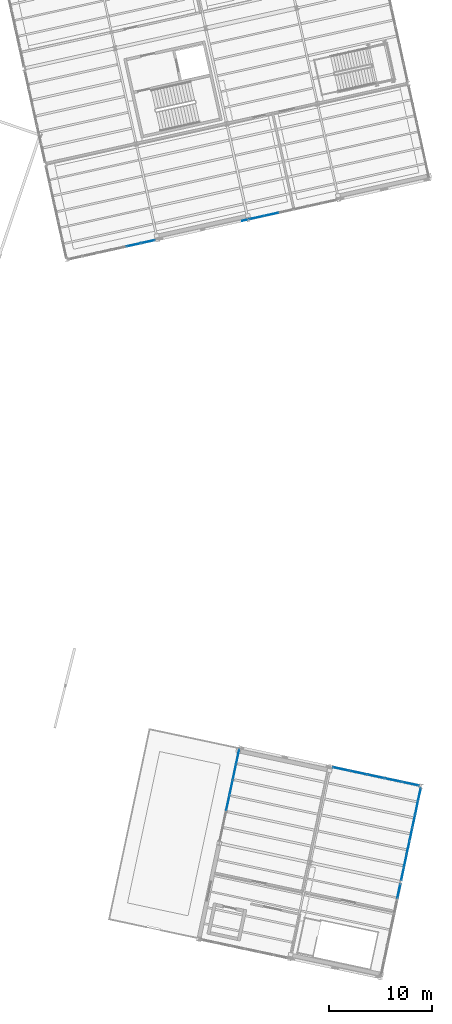
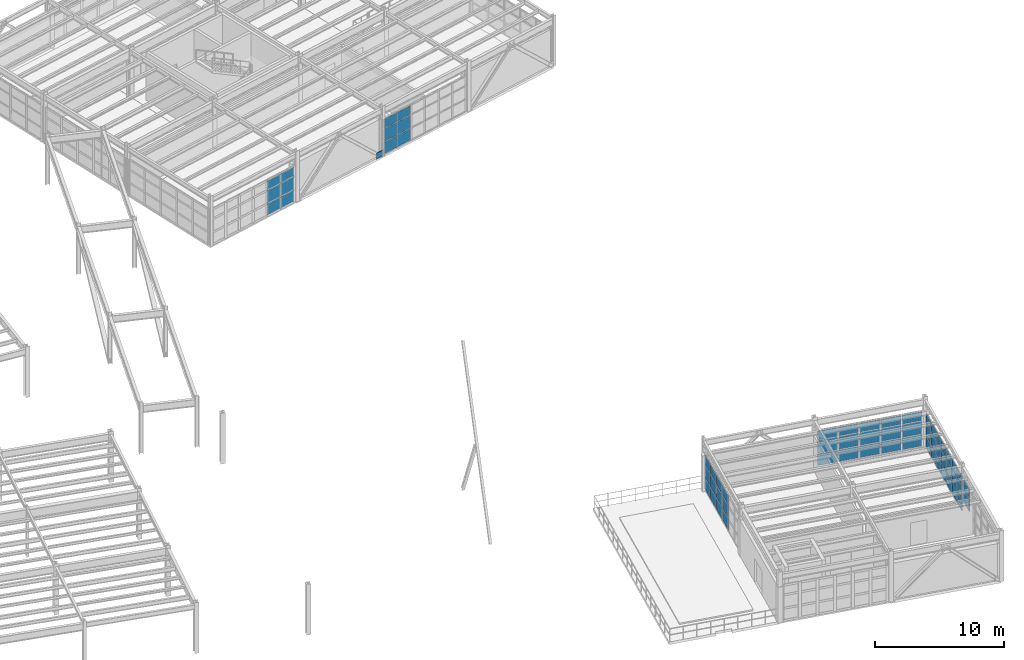
# One storey, part 74 of 109: 63 plates, 6 elements without a shape of their own.
"""IFC4 building model written with IfcOpenShell, lengths in metres."""

from ifc_helpers import new_model, si_unit, direction, frame, origin, origin_2d, place, context, subcontext, project, spatial, rectangle, extrude, material, layer, layer_set, type_object, element, aggregate, save


model = new_model("IFC4")

# Units and contexts
model_context = context("Model", 3, precision=1e-05, world=origin(), true_north=direction((0.0, 1.0)))
body_context = subcontext(model_context, "Body", "Model", "MODEL_VIEW")
ifc_project = project(units=[si_unit("LENGTHUNIT", "METRE"), si_unit("AREAUNIT", "SQUARE_METRE"), si_unit("VOLUMEUNIT", "CUBIC_METRE"), si_unit("PLANEANGLEUNIT", "RADIAN"), si_unit("MASSUNIT", "GRAM", prefix="KILO")], contexts=[model_context])

# Site, building, storey
site_placement = place(None, origin())
site = spatial("IfcSite", under=ifc_project, at=site_placement, CompositionType="ELEMENT")
building_placement = place(site_placement, origin())
building = spatial("IfcBuilding", under=site, at=building_placement, Name="Vireo Bluff Cable Station", CompositionType="ELEMENT")
storey_placement = place(building_placement, frame((0.0, 0.0, 4.800048828125)))
storey = spatial("IfcBuildingStorey", under=building, at=storey_placement, Name="L01", CompositionType="ELEMENT", Elevation=4.800048828125)

# Curtain wall, plates
ifc_material_1 = material(Name="Anodized Aluminium 6063-T6", Category="aluminium")
ifc_layer_1 = layer(ifc_material_1, 0.179931640625, Name="Anodized Aluminium 6063-T6")
ifc_layer_set_1 = layer_set([ifc_layer_1], Name="Anodized Aluminium 6063-T6")
curtain_wall_type_1 = type_object("IfcCurtainWallType", Name="CW-UNIT-1500", PredefinedType="USERDEFINED", material=ifc_layer_set_1)
curtain_wall_1_placement = place(storey_placement, origin())
curtain_wall_1 = element("IfcCurtainWall", 1, at=curtain_wall_1_placement, inside=storey, type_object=curtain_wall_type_1, Name="V5E L01 west curtain wall CW-136", ObjectType="UNITISED CURTAIN WALL", PredefinedType="USERDEFINED")
ifc_material_2 = material(Name="Laminated Low-E Insulated Glass", Category="glass")
ifc_layer_2 = layer(ifc_material_2, 0.031982421875, Name="Laminated Low-E Insulated Glass")
ifc_layer_set_2 = layer_set([ifc_layer_2], Name="Laminated Low-E Insulated Glass")
plate_type_1 = type_object("IfcPlateType", Name="CWP-32-2", PredefinedType="CURTAIN_PANEL", material=ifc_layer_set_2)
plate_1_placement = place(storey_placement, frame((141.60986328125, 21.3330078125, 0.06494140625), z_axis=(0.0, 0.0, 1.0), x_axis=(0.207911694642, 0.978147599921, 0.0)))
plate_1 = element("IfcPlate", 2, at=plate_1_placement, type_object=plate_type_1, Name="CW-136 panel 3.1", PredefinedType="CURTAIN_PANEL", context=body_context, shape_type="SweptSolid", body=[
    extrude(rectangle(XDim=1.4619140625, YDim=0.031982421875, at=origin_2d()), origin(), (0.0, 0.0, 1.0), 1.092529296875),
])
plate_2_placement = place(storey_placement, frame((141.60986328125, 21.3330078125, 1.22216796875), z_axis=(0.0, 0.0, 1.0), x_axis=(0.207911694642, 0.978147599921, 0.0)))
plate_2 = element("IfcPlate", 3, at=plate_2_placement, type_object=plate_type_1, Name="CW-136 panel 3.2", PredefinedType="CURTAIN_PANEL", context=body_context, shape_type="SweptSolid", body=[
    extrude(rectangle(XDim=1.4619140625, YDim=0.031982421875, at=origin_2d()), origin(), (0.0, 0.0, 1.0), 1.193115234375),
])
plate_3_placement = place(storey_placement, frame((141.60986328125, 21.3330078125, 2.48046875), z_axis=(0.0, 0.0, 1.0), x_axis=(0.207911694642, 0.978147599921, 0.0)))
plate_3 = element("IfcPlate", 4, at=plate_3_placement, type_object=plate_type_1, Name="CW-136 panel 3.3", PredefinedType="CURTAIN_PANEL", context=body_context, shape_type="SweptSolid", body=[
    extrude(rectangle(XDim=1.4619140625, YDim=0.031982421875, at=origin_2d()), origin(), (0.0, 0.0, 1.0), 0.8544921875),
])
plate_4_placement = place(storey_placement, frame((141.927490234375, 22.826416015625, 0.06494140625), z_axis=(0.0, 0.0, 1.0), x_axis=(0.207911694642, 0.978147599921, 0.0)))
plate_4 = element("IfcPlate", 5, at=plate_4_placement, type_object=plate_type_1, Name="CW-136 panel 4.1", PredefinedType="CURTAIN_PANEL", context=body_context, shape_type="SweptSolid", body=[
    extrude(rectangle(XDim=1.4619140625, YDim=0.031982421875, at=origin_2d()), origin(), (0.0, 0.0, 1.0), 1.092529296875),
])
plate_5_placement = place(storey_placement, frame((141.927490234375, 22.826416015625, 1.22216796875), z_axis=(0.0, 0.0, 1.0), x_axis=(0.207911694642, 0.978147599921, 0.0)))
plate_5 = element("IfcPlate", 6, at=plate_5_placement, type_object=plate_type_1, Name="CW-136 panel 4.2", PredefinedType="CURTAIN_PANEL", context=body_context, shape_type="SweptSolid", body=[
    extrude(rectangle(XDim=1.4619140625, YDim=0.031982421875, at=origin_2d()), origin(), (0.0, 0.0, 1.0), 1.193115234375),
])
plate_6_placement = place(storey_placement, frame((141.927490234375, 22.826416015625, 2.48046875), z_axis=(0.0, 0.0, 1.0), x_axis=(0.207911694642, 0.978147599921, 0.0)))
plate_6 = element("IfcPlate", 7, at=plate_6_placement, type_object=plate_type_1, Name="CW-136 panel 4.3", PredefinedType="CURTAIN_PANEL", context=body_context, shape_type="SweptSolid", body=[
    extrude(rectangle(XDim=1.4619140625, YDim=0.031982421875, at=origin_2d()), origin(), (0.0, 0.0, 1.0), 0.8544921875),
])
plate_7_placement = place(storey_placement, frame((142.244873046875, 24.31982421875, 0.06494140625), z_axis=(0.0, 0.0, 1.0), x_axis=(0.207911694642, 0.978147599921, 0.0)))
plate_7 = element("IfcPlate", 8, at=plate_7_placement, type_object=plate_type_1, Name="CW-136 panel 5.1", PredefinedType="CURTAIN_PANEL", context=body_context, shape_type="SweptSolid", body=[
    extrude(rectangle(XDim=1.4619140625, YDim=0.031982421875, at=origin_2d()), origin(), (0.0, 0.0, 1.0), 1.092529296875),
])
plate_8_placement = place(storey_placement, frame((142.244873046875, 24.31982421875, 1.22216796875), z_axis=(0.0, 0.0, 1.0), x_axis=(0.207911694642, 0.978147599921, 0.0)))
plate_8 = element("IfcPlate", 9, at=plate_8_placement, type_object=plate_type_1, Name="CW-136 panel 5.2", PredefinedType="CURTAIN_PANEL", context=body_context, shape_type="SweptSolid", body=[
    extrude(rectangle(XDim=1.4619140625, YDim=0.031982421875, at=origin_2d()), origin(), (0.0, 0.0, 1.0), 1.193115234375),
])
plate_9_placement = place(storey_placement, frame((142.244873046875, 24.31982421875, 2.48046875), z_axis=(0.0, 0.0, 1.0), x_axis=(0.207911694642, 0.978147599921, 0.0)))
plate_9 = element("IfcPlate", 10, at=plate_9_placement, type_object=plate_type_1, Name="CW-136 panel 5.3", PredefinedType="CURTAIN_PANEL", context=body_context, shape_type="SweptSolid", body=[
    extrude(rectangle(XDim=1.4619140625, YDim=0.031982421875, at=origin_2d()), origin(), (0.0, 0.0, 1.0), 0.8544921875),
])
plate_10_placement = place(storey_placement, frame((142.558837890625, 25.79736328125, 0.06494140625), z_axis=(0.0, 0.0, 1.0), x_axis=(0.207911694642, 0.978147599921, 0.0)))
plate_10 = element("IfcPlate", 11, at=plate_10_placement, type_object=plate_type_1, Name="CW-136 panel 6.1", PredefinedType="CURTAIN_PANEL", context=body_context, shape_type="SweptSolid", body=[
    extrude(rectangle(XDim=1.429443359375, YDim=0.031982421875, at=origin_2d()), origin(), (0.0, 0.0, 1.0), 1.092529296875),
])
plate_11_placement = place(storey_placement, frame((142.558837890625, 25.79736328125, 1.22216796875), z_axis=(0.0, 0.0, 1.0), x_axis=(0.207911694642, 0.978147599921, 0.0)))
plate_11 = element("IfcPlate", 12, at=plate_11_placement, type_object=plate_type_1, Name="CW-136 panel 6.2", PredefinedType="CURTAIN_PANEL", context=body_context, shape_type="SweptSolid", body=[
    extrude(rectangle(XDim=1.429443359375, YDim=0.031982421875, at=origin_2d()), origin(), (0.0, 0.0, 1.0), 1.193115234375),
])
plate_12_placement = place(storey_placement, frame((142.558837890625, 25.79736328125, 2.48046875), z_axis=(0.0, 0.0, 1.0), x_axis=(0.207911694642, 0.978147599921, 0.0)))
plate_12 = element("IfcPlate", 13, at=plate_12_placement, type_object=plate_type_1, Name="CW-136 panel 6.3", PredefinedType="CURTAIN_PANEL", context=body_context, shape_type="SweptSolid", body=[
    extrude(rectangle(XDim=1.429443359375, YDim=0.031982421875, at=origin_2d()), origin(), (0.0, 0.0, 1.0), 0.8544921875),
])
aggregate(curtain_wall_1, [plate_1, plate_2, plate_3, plate_4, plate_5, plate_6, plate_7, plate_8, plate_9, plate_10, plate_11, plate_12])

ifc_layer_3 = layer(ifc_material_1, 0.179931640625, Name="Anodized Aluminium 6063-T6")
ifc_layer_set_3 = layer_set([ifc_layer_3], Name="Anodized Aluminium 6063-T6")
curtain_wall_type_2 = type_object("IfcCurtainWallType", Name="CW-UNIT-1400", PredefinedType="USERDEFINED", material=ifc_layer_set_3)
curtain_wall_2_placement = place(storey_placement, origin())
curtain_wall_2 = element("IfcCurtainWall", 14, at=curtain_wall_2_placement, inside=storey, type_object=curtain_wall_type_2, Name="V2 L01 south curtain wall CW-042", ObjectType="UNITISED CURTAIN WALL", PredefinedType="USERDEFINED")
ifc_layer_4 = layer(ifc_material_2, 0.035888671875, Name="Laminated Low-E Insulated Glass")
ifc_layer_set_4 = layer_set([ifc_layer_4], Name="Laminated Low-E Insulated Glass")
plate_type_2 = type_object("IfcPlateType", Name="CWP-36-3", PredefinedType="CURTAIN_PANEL", material=ifc_layer_set_4)
plate_13_placement = place(storey_placement, frame((145.81982421875, 78.39404296875, 0.059814453125), z_axis=(0.0, 0.0, 1.0), x_axis=(-0.976296005412, -0.21643962164, 0.0)))
plate_13 = element("IfcPlate", 15, at=plate_13_placement, type_object=plate_type_2, Name="CW-042 panel 5.1", PredefinedType="CURTAIN_PANEL", context=body_context, shape_type="SweptSolid", body=[
    extrude(rectangle(XDim=1.386962890625, YDim=0.035888671875, at=origin_2d()), origin(), (0.0, 0.0, 1.0), 1.10009765625),
])
plate_14_placement = place(storey_placement, frame((145.81982421875, 78.39404296875, 1.2197265625), z_axis=(0.0, 0.0, 1.0), x_axis=(-0.976296005412, -0.21643962164, 0.0)))
plate_14 = element("IfcPlate", 16, at=plate_14_placement, type_object=plate_type_2, Name="CW-042 panel 5.2", PredefinedType="CURTAIN_PANEL", context=body_context, shape_type="SweptSolid", body=[
    extrude(rectangle(XDim=1.386962890625, YDim=0.035888671875, at=origin_2d()), origin(), (0.0, 0.0, 1.0), 1.197998046875),
])
plate_15_placement = place(storey_placement, frame((145.81982421875, 78.39404296875, 2.47802734375), z_axis=(0.0, 0.0, 1.0), x_axis=(-0.976296005412, -0.21643962164, 0.0)))
plate_15 = element("IfcPlate", 17, at=plate_15_placement, type_object=plate_type_2, Name="CW-042 panel 5.3", PredefinedType="CURTAIN_PANEL", context=body_context, shape_type="SweptSolid", body=[
    extrude(rectangle(XDim=1.386962890625, YDim=0.035888671875, at=origin_2d()), origin(), (0.0, 0.0, 1.0), 0.862060546875),
])
plate_16_placement = place(storey_placement, frame((144.421875, 78.083984375, 0.059814453125), z_axis=(0.0, 0.0, 1.0), x_axis=(-0.976296005412, -0.21643962164, 0.0)))
plate_16 = element("IfcPlate", 18, at=plate_16_placement, type_object=plate_type_2, Name="CW-042 panel 6.1", PredefinedType="CURTAIN_PANEL", context=body_context, shape_type="SweptSolid", body=[
    extrude(rectangle(XDim=1.357177734375, YDim=0.035888671875, at=origin_2d()), origin(), (0.0, 0.0, 1.0), 1.10009765625),
])
plate_17_placement = place(storey_placement, frame((144.421875, 78.083984375, 1.2197265625), z_axis=(0.0, 0.0, 1.0), x_axis=(-0.976296005412, -0.21643962164, 0.0)))
plate_17 = element("IfcPlate", 19, at=plate_17_placement, type_object=plate_type_2, Name="CW-042 panel 6.2", PredefinedType="CURTAIN_PANEL", context=body_context, shape_type="SweptSolid", body=[
    extrude(rectangle(XDim=1.357177734375, YDim=0.035888671875, at=origin_2d()), origin(), (0.0, 0.0, 1.0), 1.197998046875),
])
plate_18_placement = place(storey_placement, frame((144.421875, 78.083984375, 2.47802734375), z_axis=(0.0, 0.0, 1.0), x_axis=(-0.976296005412, -0.21643962164, 0.0)))
plate_18 = element("IfcPlate", 20, at=plate_18_placement, type_object=plate_type_2, Name="CW-042 panel 6.3", PredefinedType="CURTAIN_PANEL", context=body_context, shape_type="SweptSolid", body=[
    extrude(rectangle(XDim=1.357177734375, YDim=0.035888671875, at=origin_2d()), origin(), (0.0, 0.0, 1.0), 0.862060546875),
])
aggregate(curtain_wall_2, [plate_13, plate_14, plate_15, plate_16, plate_17, plate_18])

ifc_layer_5 = layer(ifc_material_1, 0.179931640625, Name="Anodized Aluminium 6063-T6")
ifc_layer_set_5 = layer_set([ifc_layer_5], Name="Anodized Aluminium 6063-T6")
curtain_wall_type_3 = type_object("IfcCurtainWallType", Name="CW-UNIT-1650", PredefinedType="USERDEFINED", material=ifc_layer_set_5)
curtain_wall_3_placement = place(storey_placement, origin())
curtain_wall_3 = element("IfcCurtainWall", 21, at=curtain_wall_3_placement, inside=storey, type_object=curtain_wall_type_3, Name="V5E L01 north curtain wall CW-137", ObjectType="UNITISED CURTAIN WALL", PredefinedType="USERDEFINED")
plate_19_placement = place(storey_placement, frame((152.60205078125, 24.620361328125, 0.0751953125), z_axis=(0.0, 0.0, 1.0), x_axis=(0.978147605487, -0.207911668454, 0.0)))
plate_19 = element("IfcPlate", 22, at=plate_19_placement, type_object=plate_type_2, Name="CW-137 panel 1.1", PredefinedType="CURTAIN_PANEL", context=body_context, shape_type="SweptSolid", body=[
    extrude(rectangle(XDim=1.61279296875, YDim=0.035888671875, at=origin_2d()), origin(), (0.0, 0.0, 1.0), 1.077392578125),
])
plate_20_placement = place(storey_placement, frame((152.60205078125, 24.620361328125, 1.227294921875), z_axis=(0.0, 0.0, 1.0), x_axis=(0.978147605487, -0.207911668454, 0.0)))
plate_20 = element("IfcPlate", 23, at=plate_20_placement, type_object=plate_type_2, Name="CW-137 panel 1.2", PredefinedType="CURTAIN_PANEL", context=body_context, shape_type="SweptSolid", body=[
    extrude(rectangle(XDim=1.61279296875, YDim=0.035888671875, at=origin_2d()), origin(), (0.0, 0.0, 1.0), 1.18310546875),
])
plate_21_placement = place(storey_placement, frame((152.60205078125, 24.620361328125, 2.4853515625), z_axis=(0.0, 0.0, 1.0), x_axis=(0.978147605487, -0.207911668454, 0.0)))
plate_21 = element("IfcPlate", 24, at=plate_21_placement, type_object=plate_type_2, Name="CW-137 panel 1.3", PredefinedType="CURTAIN_PANEL", context=body_context, shape_type="SweptSolid", body=[
    extrude(rectangle(XDim=1.61279296875, YDim=0.035888671875, at=origin_2d()), origin(), (0.0, 0.0, 1.0), 0.839599609375),
])
plate_22_placement = place(storey_placement, frame((154.271240234375, 24.265380859375, 0.0751953125), z_axis=(0.0, 0.0, 1.0), x_axis=(0.978147605487, -0.207911668454, 0.0)))
plate_22 = element("IfcPlate", 25, at=plate_22_placement, type_object=plate_type_2, Name="CW-137 panel 2.1", PredefinedType="CURTAIN_PANEL", context=body_context, shape_type="SweptSolid", body=[
    extrude(rectangle(XDim=1.650146484375, YDim=0.035888671875, at=origin_2d()), origin(), (0.0, 0.0, 1.0), 1.077392578125),
])
plate_23_placement = place(storey_placement, frame((154.271240234375, 24.265380859375, 1.227294921875), z_axis=(0.0, 0.0, 1.0), x_axis=(0.978147605487, -0.207911668454, 0.0)))
plate_23 = element("IfcPlate", 26, at=plate_23_placement, type_object=plate_type_2, Name="CW-137 panel 2.2", PredefinedType="CURTAIN_PANEL", context=body_context, shape_type="SweptSolid", body=[
    extrude(rectangle(XDim=1.650146484375, YDim=0.035888671875, at=origin_2d()), origin(), (0.0, 0.0, 1.0), 1.18310546875),
])
plate_24_placement = place(storey_placement, frame((154.271240234375, 24.265380859375, 2.4853515625), z_axis=(0.0, 0.0, 1.0), x_axis=(0.978147605487, -0.207911668454, 0.0)))
plate_24 = element("IfcPlate", 27, at=plate_24_placement, type_object=plate_type_2, Name="CW-137 panel 2.3", PredefinedType="CURTAIN_PANEL", context=body_context, shape_type="SweptSolid", body=[
    extrude(rectangle(XDim=1.650146484375, YDim=0.035888671875, at=origin_2d()), origin(), (0.0, 0.0, 1.0), 0.839599609375),
])
plate_25_placement = place(storey_placement, frame((155.958740234375, 23.90673828125, 0.0751953125), z_axis=(0.0, 0.0, 1.0), x_axis=(0.978147605487, -0.207911668454, 0.0)))
plate_25 = element("IfcPlate", 28, at=plate_25_placement, type_object=plate_type_2, Name="CW-137 panel 3.1", PredefinedType="CURTAIN_PANEL", context=body_context, shape_type="SweptSolid", body=[
    extrude(rectangle(XDim=1.650146484375, YDim=0.035888671875, at=origin_2d()), origin(), (0.0, 0.0, 1.0), 1.077392578125),
])
plate_26_placement = place(storey_placement, frame((155.958740234375, 23.90673828125, 1.227294921875), z_axis=(0.0, 0.0, 1.0), x_axis=(0.978147605487, -0.207911668454, 0.0)))
plate_26 = element("IfcPlate", 29, at=plate_26_placement, type_object=plate_type_2, Name="CW-137 panel 3.2", PredefinedType="CURTAIN_PANEL", context=body_context, shape_type="SweptSolid", body=[
    extrude(rectangle(XDim=1.650146484375, YDim=0.035888671875, at=origin_2d()), origin(), (0.0, 0.0, 1.0), 1.18310546875),
])
plate_27_placement = place(storey_placement, frame((155.958740234375, 23.90673828125, 2.4853515625), z_axis=(0.0, 0.0, 1.0), x_axis=(0.978147605487, -0.207911668454, 0.0)))
plate_27 = element("IfcPlate", 30, at=plate_27_placement, type_object=plate_type_2, Name="CW-137 panel 3.3", PredefinedType="CURTAIN_PANEL", context=body_context, shape_type="SweptSolid", body=[
    extrude(rectangle(XDim=1.650146484375, YDim=0.035888671875, at=origin_2d()), origin(), (0.0, 0.0, 1.0), 0.839599609375),
])
plate_28_placement = place(storey_placement, frame((157.646240234375, 23.548095703125, 0.0751953125), z_axis=(0.0, 0.0, 1.0), x_axis=(0.978147605487, -0.207911668454, 0.0)))
plate_28 = element("IfcPlate", 31, at=plate_28_placement, type_object=plate_type_2, Name="CW-137 panel 4.1", PredefinedType="CURTAIN_PANEL", context=body_context, shape_type="SweptSolid", body=[
    extrude(rectangle(XDim=1.650146484375, YDim=0.035888671875, at=origin_2d()), origin(), (0.0, 0.0, 1.0), 1.077392578125),
])
plate_29_placement = place(storey_placement, frame((157.646240234375, 23.548095703125, 1.227294921875), z_axis=(0.0, 0.0, 1.0), x_axis=(0.978147605487, -0.207911668454, 0.0)))
plate_29 = element("IfcPlate", 32, at=plate_29_placement, type_object=plate_type_2, Name="CW-137 panel 4.2", PredefinedType="CURTAIN_PANEL", context=body_context, shape_type="SweptSolid", body=[
    extrude(rectangle(XDim=1.650146484375, YDim=0.035888671875, at=origin_2d()), origin(), (0.0, 0.0, 1.0), 1.18310546875),
])
plate_30_placement = place(storey_placement, frame((157.646240234375, 23.548095703125, 2.4853515625), z_axis=(0.0, 0.0, 1.0), x_axis=(0.978147605487, -0.207911668454, 0.0)))
plate_30 = element("IfcPlate", 33, at=plate_30_placement, type_object=plate_type_2, Name="CW-137 panel 4.3", PredefinedType="CURTAIN_PANEL", context=body_context, shape_type="SweptSolid", body=[
    extrude(rectangle(XDim=1.650146484375, YDim=0.035888671875, at=origin_2d()), origin(), (0.0, 0.0, 1.0), 0.839599609375),
])
plate_31_placement = place(storey_placement, frame((159.315185546875, 23.193359375, 0.0751953125), z_axis=(0.0, 0.0, 1.0), x_axis=(0.978147605487, -0.207911668454, 0.0)))
plate_31 = element("IfcPlate", 34, at=plate_31_placement, type_object=plate_type_2, Name="CW-137 panel 5.1", PredefinedType="CURTAIN_PANEL", context=body_context, shape_type="SweptSolid", body=[
    extrude(rectangle(XDim=1.61279296875, YDim=0.035888671875, at=origin_2d()), origin(), (0.0, 0.0, 1.0), 1.077392578125),
])
plate_32_placement = place(storey_placement, frame((159.315185546875, 23.193359375, 1.227294921875), z_axis=(0.0, 0.0, 1.0), x_axis=(0.978147605487, -0.207911668454, 0.0)))
plate_32 = element("IfcPlate", 35, at=plate_32_placement, type_object=plate_type_2, Name="CW-137 panel 5.2", PredefinedType="CURTAIN_PANEL", context=body_context, shape_type="SweptSolid", body=[
    extrude(rectangle(XDim=1.61279296875, YDim=0.035888671875, at=origin_2d()), origin(), (0.0, 0.0, 1.0), 1.18310546875),
])
plate_33_placement = place(storey_placement, frame((159.315185546875, 23.193359375, 2.4853515625), z_axis=(0.0, 0.0, 1.0), x_axis=(0.978147605487, -0.207911668454, 0.0)))
plate_33 = element("IfcPlate", 36, at=plate_33_placement, type_object=plate_type_2, Name="CW-137 panel 5.3", PredefinedType="CURTAIN_PANEL", context=body_context, shape_type="SweptSolid", body=[
    extrude(rectangle(XDim=1.61279296875, YDim=0.035888671875, at=origin_2d()), origin(), (0.0, 0.0, 1.0), 0.839599609375),
])
aggregate(curtain_wall_3, [plate_19, plate_20, plate_21, plate_22, plate_23, plate_24, plate_25, plate_26, plate_27, plate_28, plate_29, plate_30, plate_31, plate_32, plate_33])

curtain_wall_4_placement = place(storey_placement, origin())
curtain_wall_4 = element("IfcCurtainWall", 37, at=curtain_wall_4_placement, inside=storey, type_object=curtain_wall_type_1, Name="V2 L01 south curtain wall CW-043", ObjectType="UNITISED CURTAIN WALL", PredefinedType="USERDEFINED")
ifc_material_3 = material(Name="Insulated Spandrel Glass Panel", Category="glass")
ifc_layer_6 = layer(ifc_material_3, 0.0419921875, Name="Insulated Spandrel Glass Panel")
ifc_layer_set_6 = layer_set([ifc_layer_6], Name="Insulated Spandrel Glass Panel")
plate_type_3 = type_object("IfcPlateType", Name="CWP-42-4", PredefinedType="CURTAIN_PANEL", material=ifc_layer_set_6)
plate_34_placement = place(storey_placement, frame((133.878173828125, 75.74658203125, 0.080078125), z_axis=(0.0, 0.0, 1.0), x_axis=(-0.976296024459, -0.216439535726, 0.0)))
plate_34 = element("IfcPlate", 38, at=plate_34_placement, type_object=plate_type_3, Name="CW-043 panel 1.1", PredefinedType="CURTAIN_PANEL", context=body_context, shape_type="SweptSolid", body=[
    extrude(rectangle(XDim=1.327392578125, YDim=0.0419921875, at=origin_2d()), origin(), (0.0, 0.0, 1.0), 1.070068359375),
])
plate_35_placement = place(storey_placement, frame((133.878173828125, 75.74658203125, 1.22998046875), z_axis=(0.0, 0.0, 1.0), x_axis=(-0.976296024459, -0.216439535726, 0.0)))
plate_35 = element("IfcPlate", 39, at=plate_35_placement, type_object=plate_type_3, Name="CW-043 panel 1.2", PredefinedType="CURTAIN_PANEL", context=body_context, shape_type="SweptSolid", body=[
    extrude(rectangle(XDim=1.327392578125, YDim=0.0419921875, at=origin_2d()), origin(), (0.0, 0.0, 1.0), 1.177978515625),
])
plate_36_placement = place(storey_placement, frame((133.878173828125, 75.74658203125, 2.488037109375), z_axis=(0.0, 0.0, 1.0), x_axis=(-0.976296024459, -0.216439535726, 0.0)))
plate_36 = element("IfcPlate", 40, at=plate_36_placement, type_object=plate_type_3, Name="CW-043 panel 1.3", PredefinedType="CURTAIN_PANEL", context=body_context, shape_type="SweptSolid", body=[
    extrude(rectangle(XDim=1.327392578125, YDim=0.0419921875, at=origin_2d()), origin(), (0.0, 0.0, 1.0), 0.83203125),
])
plate_37_placement = place(storey_placement, frame((132.484619140625, 75.4375, 0.080078125), z_axis=(0.0, 0.0, 1.0), x_axis=(-0.976296024459, -0.216439535726, 0.0)))
plate_37 = element("IfcPlate", 41, at=plate_37_placement, type_object=plate_type_3, Name="CW-043 panel 2.1", PredefinedType="CURTAIN_PANEL", context=body_context, shape_type="SweptSolid", body=[
    extrude(rectangle(XDim=1.367431640625, YDim=0.0419921875, at=origin_2d()), origin(), (0.0, 0.0, 1.0), 1.070068359375),
])
plate_38_placement = place(storey_placement, frame((132.484619140625, 75.4375, 1.22998046875), z_axis=(0.0, 0.0, 1.0), x_axis=(-0.976296024459, -0.216439535726, 0.0)))
plate_38 = element("IfcPlate", 42, at=plate_38_placement, type_object=plate_type_3, Name="CW-043 panel 2.2", PredefinedType="CURTAIN_PANEL", context=body_context, shape_type="SweptSolid", body=[
    extrude(rectangle(XDim=1.367431640625, YDim=0.0419921875, at=origin_2d()), origin(), (0.0, 0.0, 1.0), 1.177978515625),
])
plate_39_placement = place(storey_placement, frame((132.484619140625, 75.4375, 2.488037109375), z_axis=(0.0, 0.0, 1.0), x_axis=(-0.976296024459, -0.216439535726, 0.0)))
plate_39 = element("IfcPlate", 43, at=plate_39_placement, type_object=plate_type_3, Name="CW-043 panel 2.3", PredefinedType="CURTAIN_PANEL", context=body_context, shape_type="SweptSolid", body=[
    extrude(rectangle(XDim=1.367431640625, YDim=0.0419921875, at=origin_2d()), origin(), (0.0, 0.0, 1.0), 0.83203125),
])
aggregate(curtain_wall_4, [plate_34, plate_35, plate_36, plate_37, plate_38, plate_39])

curtain_wall_5_placement = place(storey_placement, origin())
curtain_wall_5 = element("IfcCurtainWall", 44, at=curtain_wall_5_placement, inside=storey, type_object=curtain_wall_type_2, Name="V5E L01 east curtain wall CW-138", ObjectType="UNITISED CURTAIN WALL", PredefinedType="USERDEFINED")
plate_40_placement = place(storey_placement, frame((160.182861328125, 22.13671875, 0.059814453125), z_axis=(0.0, 0.0, 1.0), x_axis=(-0.207911684467, -0.978147602084, 0.0)))
plate_40 = element("IfcPlate", 45, at=plate_40_placement, type_object=plate_type_3, Name="CW-138 panel 1.1", PredefinedType="CURTAIN_PANEL", context=body_context, shape_type="SweptSolid", body=[
    extrude(rectangle(XDim=1.221923828125, YDim=0.0419921875, at=origin_2d()), origin(), (0.0, 0.0, 1.0), 1.10009765625),
])
plate_41_placement = place(storey_placement, frame((160.182861328125, 22.13671875, 1.2197265625), z_axis=(0.0, 0.0, 1.0), x_axis=(-0.207911684467, -0.978147602084, 0.0)))
plate_41 = element("IfcPlate", 46, at=plate_41_placement, type_object=plate_type_3, Name="CW-138 panel 1.2", PredefinedType="CURTAIN_PANEL", context=body_context, shape_type="SweptSolid", body=[
    extrude(rectangle(XDim=1.221923828125, YDim=0.0419921875, at=origin_2d()), origin(), (0.0, 0.0, 1.0), 1.197998046875),
])
plate_42_placement = place(storey_placement, frame((160.182861328125, 22.13671875, 2.47802734375), z_axis=(0.0, 0.0, 1.0), x_axis=(-0.207911684467, -0.978147602084, 0.0)))
plate_42 = element("IfcPlate", 47, at=plate_42_placement, type_object=plate_type_3, Name="CW-138 panel 1.3", PredefinedType="CURTAIN_PANEL", context=body_context, shape_type="SweptSolid", body=[
    extrude(rectangle(XDim=1.221923828125, YDim=0.0419921875, at=origin_2d()), origin(), (0.0, 0.0, 1.0), 0.862060546875),
])
plate_43_placement = place(storey_placement, frame((159.913330078125, 20.8681640625, 0.059814453125), z_axis=(0.0, 0.0, 1.0), x_axis=(-0.207911684467, -0.978147602084, 0.0)))
plate_43 = element("IfcPlate", 48, at=plate_43_placement, type_object=plate_type_3, Name="CW-138 panel 2.1", PredefinedType="CURTAIN_PANEL", context=body_context, shape_type="SweptSolid", body=[
    extrude(rectangle(XDim=1.251953125, YDim=0.0419921875, at=origin_2d()), origin(), (0.0, 0.0, 1.0), 1.10009765625),
])
plate_44_placement = place(storey_placement, frame((159.913330078125, 20.8681640625, 1.2197265625), z_axis=(0.0, 0.0, 1.0), x_axis=(-0.207911684467, -0.978147602084, 0.0)))
plate_44 = element("IfcPlate", 49, at=plate_44_placement, type_object=plate_type_3, Name="CW-138 panel 2.2", PredefinedType="CURTAIN_PANEL", context=body_context, shape_type="SweptSolid", body=[
    extrude(rectangle(XDim=1.251953125, YDim=0.0419921875, at=origin_2d()), origin(), (0.0, 0.0, 1.0), 1.197998046875),
])
plate_45_placement = place(storey_placement, frame((159.913330078125, 20.8681640625, 2.47802734375), z_axis=(0.0, 0.0, 1.0), x_axis=(-0.207911684467, -0.978147602084, 0.0)))
plate_45 = element("IfcPlate", 50, at=plate_45_placement, type_object=plate_type_3, Name="CW-138 panel 2.3", PredefinedType="CURTAIN_PANEL", context=body_context, shape_type="SweptSolid", body=[
    extrude(rectangle(XDim=1.251953125, YDim=0.0419921875, at=origin_2d()), origin(), (0.0, 0.0, 1.0), 0.862060546875),
])
plate_46_placement = place(storey_placement, frame((159.640625, 19.5849609375, 0.059814453125), z_axis=(0.0, 0.0, 1.0), x_axis=(-0.207911684467, -0.978147602084, 0.0)))
plate_46 = element("IfcPlate", 51, at=plate_46_placement, type_object=plate_type_3, Name="CW-138 panel 3.1", PredefinedType="CURTAIN_PANEL", context=body_context, shape_type="SweptSolid", body=[
    extrude(rectangle(XDim=1.251953125, YDim=0.0419921875, at=origin_2d()), origin(), (0.0, 0.0, 1.0), 1.10009765625),
])
plate_47_placement = place(storey_placement, frame((159.640625, 19.5849609375, 1.2197265625), z_axis=(0.0, 0.0, 1.0), x_axis=(-0.207911684467, -0.978147602084, 0.0)))
plate_47 = element("IfcPlate", 52, at=plate_47_placement, type_object=plate_type_3, Name="CW-138 panel 3.2", PredefinedType="CURTAIN_PANEL", context=body_context, shape_type="SweptSolid", body=[
    extrude(rectangle(XDim=1.251953125, YDim=0.0419921875, at=origin_2d()), origin(), (0.0, 0.0, 1.0), 1.197998046875),
])
plate_48_placement = place(storey_placement, frame((159.640625, 19.5849609375, 2.47802734375), z_axis=(0.0, 0.0, 1.0), x_axis=(-0.207911684467, -0.978147602084, 0.0)))
plate_48 = element("IfcPlate", 53, at=plate_48_placement, type_object=plate_type_3, Name="CW-138 panel 3.3", PredefinedType="CURTAIN_PANEL", context=body_context, shape_type="SweptSolid", body=[
    extrude(rectangle(XDim=1.251953125, YDim=0.0419921875, at=origin_2d()), origin(), (0.0, 0.0, 1.0), 0.862060546875),
])
plate_49_placement = place(storey_placement, frame((159.36767578125, 18.301513671875, 0.059814453125), z_axis=(0.0, 0.0, 1.0), x_axis=(-0.207911684467, -0.978147602084, 0.0)))
plate_49 = element("IfcPlate", 54, at=plate_49_placement, type_object=plate_type_3, Name="CW-138 panel 4.1", PredefinedType="CURTAIN_PANEL", context=body_context, shape_type="SweptSolid", body=[
    extrude(rectangle(XDim=1.251953125, YDim=0.0419921875, at=origin_2d()), origin(), (0.0, 0.0, 1.0), 1.10009765625),
])
plate_50_placement = place(storey_placement, frame((159.36767578125, 18.301513671875, 1.2197265625), z_axis=(0.0, 0.0, 1.0), x_axis=(-0.207911684467, -0.978147602084, 0.0)))
plate_50 = element("IfcPlate", 55, at=plate_50_placement, type_object=plate_type_3, Name="CW-138 panel 4.2", PredefinedType="CURTAIN_PANEL", context=body_context, shape_type="SweptSolid", body=[
    extrude(rectangle(XDim=1.251953125, YDim=0.0419921875, at=origin_2d()), origin(), (0.0, 0.0, 1.0), 1.197998046875),
])
plate_51_placement = place(storey_placement, frame((159.36767578125, 18.301513671875, 2.47802734375), z_axis=(0.0, 0.0, 1.0), x_axis=(-0.207911684467, -0.978147602084, 0.0)))
plate_51 = element("IfcPlate", 56, at=plate_51_placement, type_object=plate_type_3, Name="CW-138 panel 4.3", PredefinedType="CURTAIN_PANEL", context=body_context, shape_type="SweptSolid", body=[
    extrude(rectangle(XDim=1.251953125, YDim=0.0419921875, at=origin_2d()), origin(), (0.0, 0.0, 1.0), 0.862060546875),
])
plate_52_placement = place(storey_placement, frame((159.094970703125, 17.01806640625, 0.059814453125), z_axis=(0.0, 0.0, 1.0), x_axis=(-0.207911684467, -0.978147602084, 0.0)))
plate_52 = element("IfcPlate", 57, at=plate_52_placement, type_object=plate_type_3, Name="CW-138 panel 5.1", PredefinedType="CURTAIN_PANEL", context=body_context, shape_type="SweptSolid", body=[
    extrude(rectangle(XDim=1.251953125, YDim=0.0419921875, at=origin_2d()), origin(), (0.0, 0.0, 1.0), 1.10009765625),
])
plate_53_placement = place(storey_placement, frame((159.094970703125, 17.01806640625, 1.2197265625), z_axis=(0.0, 0.0, 1.0), x_axis=(-0.207911684467, -0.978147602084, 0.0)))
plate_53 = element("IfcPlate", 58, at=plate_53_placement, type_object=plate_type_3, Name="CW-138 panel 5.2", PredefinedType="CURTAIN_PANEL", context=body_context, shape_type="SweptSolid", body=[
    extrude(rectangle(XDim=1.251953125, YDim=0.0419921875, at=origin_2d()), origin(), (0.0, 0.0, 1.0), 1.197998046875),
])
plate_54_placement = place(storey_placement, frame((159.094970703125, 17.01806640625, 2.47802734375), z_axis=(0.0, 0.0, 1.0), x_axis=(-0.207911684467, -0.978147602084, 0.0)))
plate_54 = element("IfcPlate", 59, at=plate_54_placement, type_object=plate_type_3, Name="CW-138 panel 5.3", PredefinedType="CURTAIN_PANEL", context=body_context, shape_type="SweptSolid", body=[
    extrude(rectangle(XDim=1.251953125, YDim=0.0419921875, at=origin_2d()), origin(), (0.0, 0.0, 1.0), 0.862060546875),
])
plate_55_placement = place(storey_placement, frame((158.822265625, 15.73486328125, 0.059814453125), z_axis=(0.0, 0.0, 1.0), x_axis=(-0.207911684467, -0.978147602084, 0.0)))
plate_55 = element("IfcPlate", 60, at=plate_55_placement, type_object=plate_type_3, Name="CW-138 panel 6.1", PredefinedType="CURTAIN_PANEL", context=body_context, shape_type="SweptSolid", body=[
    extrude(rectangle(XDim=1.251953125, YDim=0.0419921875, at=origin_2d()), origin(), (0.0, 0.0, 1.0), 1.10009765625),
])
plate_56_placement = place(storey_placement, frame((158.822265625, 15.73486328125, 1.2197265625), z_axis=(0.0, 0.0, 1.0), x_axis=(-0.207911684467, -0.978147602084, 0.0)))
plate_56 = element("IfcPlate", 61, at=plate_56_placement, type_object=plate_type_3, Name="CW-138 panel 6.2", PredefinedType="CURTAIN_PANEL", context=body_context, shape_type="SweptSolid", body=[
    extrude(rectangle(XDim=1.251953125, YDim=0.0419921875, at=origin_2d()), origin(), (0.0, 0.0, 1.0), 1.197998046875),
])
plate_57_placement = place(storey_placement, frame((158.822265625, 15.73486328125, 2.47802734375), z_axis=(0.0, 0.0, 1.0), x_axis=(-0.207911684467, -0.978147602084, 0.0)))
plate_57 = element("IfcPlate", 62, at=plate_57_placement, type_object=plate_type_3, Name="CW-138 panel 6.3", PredefinedType="CURTAIN_PANEL", context=body_context, shape_type="SweptSolid", body=[
    extrude(rectangle(XDim=1.251953125, YDim=0.0419921875, at=origin_2d()), origin(), (0.0, 0.0, 1.0), 0.862060546875),
])
plate_58_placement = place(storey_placement, frame((158.552490234375, 14.46630859375, 0.059814453125), z_axis=(0.0, 0.0, 1.0), x_axis=(-0.207911684467, -0.978147602084, 0.0)))
plate_58 = element("IfcPlate", 63, at=plate_58_placement, type_object=plate_type_3, Name="CW-138 panel 7.1", PredefinedType="CURTAIN_PANEL", context=body_context, shape_type="SweptSolid", body=[
    extrude(rectangle(XDim=1.221923828125, YDim=0.0419921875, at=origin_2d()), origin(), (0.0, 0.0, 1.0), 1.10009765625),
])
plate_59_placement = place(storey_placement, frame((158.552490234375, 14.46630859375, 1.2197265625), z_axis=(0.0, 0.0, 1.0), x_axis=(-0.207911684467, -0.978147602084, 0.0)))
plate_59 = element("IfcPlate", 64, at=plate_59_placement, type_object=plate_type_3, Name="CW-138 panel 7.2", PredefinedType="CURTAIN_PANEL", context=body_context, shape_type="SweptSolid", body=[
    extrude(rectangle(XDim=1.221923828125, YDim=0.0419921875, at=origin_2d()), origin(), (0.0, 0.0, 1.0), 1.197998046875),
])
plate_60_placement = place(storey_placement, frame((158.552490234375, 14.46630859375, 2.47802734375), z_axis=(0.0, 0.0, 1.0), x_axis=(-0.207911684467, -0.978147602084, 0.0)))
plate_60 = element("IfcPlate", 65, at=plate_60_placement, type_object=plate_type_3, Name="CW-138 panel 7.3", PredefinedType="CURTAIN_PANEL", context=body_context, shape_type="SweptSolid", body=[
    extrude(rectangle(XDim=1.221923828125, YDim=0.0419921875, at=origin_2d()), origin(), (0.0, 0.0, 1.0), 0.862060546875),
])
aggregate(curtain_wall_5, [plate_40, plate_41, plate_42, plate_43, plate_44, plate_45, plate_46, plate_47, plate_48, plate_49, plate_50, plate_51, plate_52, plate_53, plate_54, plate_55, plate_56, plate_57, plate_58, plate_59, plate_60])

curtain_wall_6_placement = place(storey_placement, origin())
curtain_wall_6 = element("IfcCurtainWall", 66, at=curtain_wall_6_placement, inside=storey, type_object=curtain_wall_type_1, Name="V5E L01 east curtain wall CW-139", ObjectType="UNITISED CURTAIN WALL", PredefinedType="USERDEFINED")
ifc_layer_7 = layer(ifc_material_3, 0.048095703125, Name="Insulated Spandrel Glass Panel")
ifc_layer_set_7 = layer_set([ifc_layer_7], Name="Insulated Spandrel Glass Panel")
plate_type_4 = type_object("IfcPlateType", Name="CWP-48-5", PredefinedType="CURTAIN_PANEL", material=ifc_layer_set_7)
plate_61_placement = place(storey_placement, frame((158.194091796875, 12.779541015625, 1.22998046875), z_axis=(0.0, 0.0, 1.0), x_axis=(-0.207911684467, -0.978147602084, 0.0)))
plate_61 = element("IfcPlate", 67, at=plate_61_placement, type_object=plate_type_4, Name="CW-139 panel 1.2", PredefinedType="CURTAIN_PANEL", context=body_context, shape_type="SweptSolid", body=[
    extrude(rectangle(XDim=1.41064453125, YDim=0.048095703125, at=origin_2d()), origin(), (0.0, 0.0, 1.0), 1.177978515625),
])
plate_62_placement = place(storey_placement, frame((158.194091796875, 12.779541015625, 2.488037109375), z_axis=(0.0, 0.0, 1.0), x_axis=(-0.207911684467, -0.978147602084, 0.0)))
plate_62 = element("IfcPlate", 68, at=plate_62_placement, type_object=plate_type_4, Name="CW-139 panel 1.3", PredefinedType="CURTAIN_PANEL", context=body_context, shape_type="SweptSolid", body=[
    extrude(rectangle(XDim=1.41064453125, YDim=0.048095703125, at=origin_2d()), origin(), (0.0, 0.0, 1.0), 0.83203125),
])
aggregate(curtain_wall_6, [plate_61, plate_62])

# Plate
ifc_material_4 = material(Name="Steel ASTM A572 Gr. 50", Category="steel")
ifc_layer_8 = layer(ifc_material_4, 0.035888671875, Name="Steel ASTM A572 Gr. 50")
ifc_layer_set_8 = layer_set([ifc_layer_8], Name="Steel ASTM A572 Gr. 50")
plate_type_5 = type_object("IfcPlateType", Name="GUSSET-840X580X36", PredefinedType="USERDEFINED", material=ifc_layer_set_8)
plate_63_placement = place(storey_placement, frame((143.417236328125, 77.861328125, -0.070068359375), z_axis=(0.0, 0.0, 1.0), x_axis=(0.97629600712, 0.216439613938, 0.0)))
element("IfcPlate", 69, at=plate_63_placement, inside=storey, type_object=plate_type_5, Name="V2 L01 brace base gusset plate 99", ObjectType="GUSSET PLATE", PredefinedType="USERDEFINED", context=body_context, shape_type="SweptSolid", body=[
    extrude(rectangle(XDim=0.840087890625, YDim=0.035888671875, at=origin_2d()), origin(), (0.0, 0.0, 1.0), 0.580078125),
])

save(model, "model.ifc")
